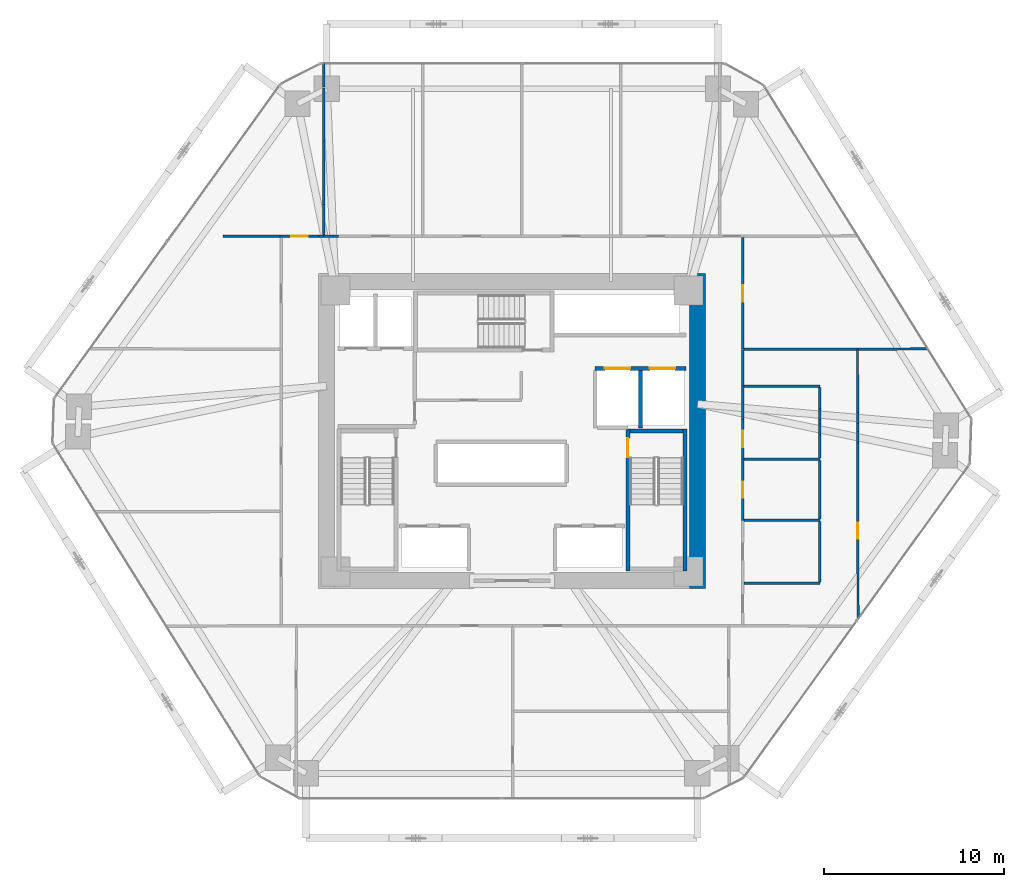
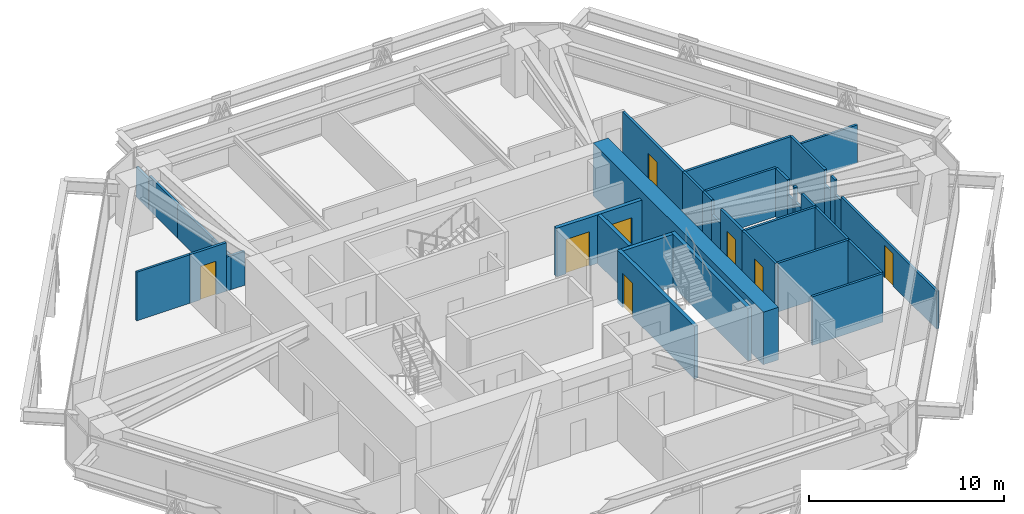
# One storey, part 15 of 17: 38 walls, 8 doors, 8 openings.
"""IFC4 building model written with IfcOpenShell, lengths in metres."""

from ifc_helpers import new_model, si_unit, direction, frame, frame_2d, origin, place, context, subcontext, project, spatial, rectangle, extrude, source, transform, mapped, material, layer, layer_set, type_object, type_shapes, element, fill, save


model = new_model("IFC4")

# Units and contexts
model_context = context("Model", 3, precision=1e-05, world=origin(), true_north=direction((0.0, 1.0)))
body_context = subcontext(model_context, "Body", "Model", "MODEL_VIEW")
ifc_project = project(units=[si_unit("LENGTHUNIT", "METRE"), si_unit("AREAUNIT", "SQUARE_METRE"), si_unit("VOLUMEUNIT", "CUBIC_METRE"), si_unit("PLANEANGLEUNIT", "RADIAN"), si_unit("MASSUNIT", "GRAM", prefix="KILO")], contexts=[model_context])

# Site, building, storey
site_placement = place(None, origin())
site = spatial("IfcSite", under=ifc_project, at=site_placement, CompositionType="ELEMENT")
building_placement = place(site_placement, origin())
building = spatial("IfcBuilding", under=site, at=building_placement, Name="Durnholm Broadcast Tower", CompositionType="ELEMENT")
storey_placement = place(building_placement, frame((0.0, 0.0, 72.0)))
storey = spatial("IfcBuildingStorey", under=building, at=storey_placement, Name="L18", CompositionType="ELEMENT", Elevation=72.0)

# Walls
ifc_material_1 = material(Name="Concrete C70/85", Category="concrete")
ifc_layer_1 = layer(ifc_material_1, 0.89990234375)
ifc_layer_set_1 = layer_set([ifc_layer_1], Name="Concrete C70/85")
wall_type_1 = type_object("IfcWallType", Name="WALL-CW-900", PredefinedType="SHEAR", material=ifc_layer_set_1)
wall_1_placement = place(storey_placement, frame((10.300048828125, -8.75, 0.0), z_axis=(0.0, 0.0, 1.0), x_axis=(0.0, 1.0, 0.0)))
element("IfcWall", 1, at=wall_1_placement, inside=storey, type_object=wall_type_1, Name="L18 central core shear wall CW-EAST", PredefinedType="SHEAR", context=body_context, shape_type="SweptSolid", body=[
    extrude(rectangle(XDim=17.5, YDim=0.89990234375, at=frame_2d((8.75, 0.0))), origin(), (0.0, 0.0, 1.0), 3.300048828125),
])
ifc_material_2 = material(Name="Gypsum Metal Stud Partition", Category="concrete")
ifc_layer_2 = layer(ifc_material_2, 0.135009765625)
ifc_layer_set_2 = layer_set([ifc_layer_2], Name="Gypsum Metal Stud Partition")
wall_type_2 = type_object("IfcWallType", Name="WALL-PART-135", PredefinedType="PARTITIONING", material=ifc_layer_set_2)
wall_2_placement = place(storey_placement, frame((-10.4599609375, 16.098388671875, 0.0), z_axis=(0.0, 0.0, 1.0), x_axis=(0.0, -1.0, 0.0)))
element("IfcWall", 2, at=wall_2_placement, inside=storey, type_object=wall_type_2, Name="L18 room dividing partition 5.6", PredefinedType="PARTITIONING", context=body_context, shape_type="SweptSolid", body=[
    extrude(rectangle(XDim=3.534912109375, YDim=0.135009765625, at=frame_2d((1.767578125, 0.0))), origin(), (0.0, 0.0, 1.0), 2.130126953125),
])
wall_3_placement = place(storey_placement, frame((-10.4599609375, 20.39990234375, 0.0), z_axis=(0.0, 0.0, 1.0), x_axis=(0.0, -1.0, 0.0)))
element("IfcWall", 3, at=wall_3_placement, inside=storey, type_object=wall_type_2, Name="L18 room dividing partition 5.6", PredefinedType="PARTITIONING", context=body_context, shape_type="SweptSolid", body=[
    extrude(rectangle(XDim=1.31591796875, YDim=0.135009765625, at=frame_2d((0.657958984375, 0.0))), origin(), (0.0, 0.0, 1.0), 1.877197265625),
])
wall_4_placement = place(storey_placement, frame((-10.4599609375, 19.052490234375, 0.0), z_axis=(0.0, 0.0, 1.0), x_axis=(0.0, -1.0, 0.0)))
element("IfcWall", 4, at=wall_4_placement, inside=storey, type_object=wall_type_2, Name="L18 room dividing partition 5.6", PredefinedType="PARTITIONING", context=body_context, shape_type="SweptSolid", body=[
    extrude(rectangle(XDim=2.9541015625, YDim=0.135009765625, at=frame_2d((1.47705078125, 0.0))), origin(), (0.0, 0.0, 1.0), 2.130126953125),
])
wall_5_placement = place(storey_placement, frame((-10.4599609375, 12.5634765625, 0.0), z_axis=(0.0, 0.0, 1.0), x_axis=(0.0, -1.0, 0.0)))
element("IfcWall", 5, at=wall_5_placement, inside=storey, type_object=wall_type_2, Name="L18 room dividing partition 5.6", PredefinedType="PARTITIONING", context=body_context, shape_type="SweptSolid", body=[
    extrude(rectangle(XDim=1.674560546875, YDim=0.135009765625, at=frame_2d((0.83740234375, 0.0))), origin(), (0.0, 0.0, 1.0), 2.130126953125),
])
wall_6_placement = place(storey_placement, frame((-12.889892578125, 10.81005859375, 0.0), z_axis=(0.0, 0.0, 1.0), x_axis=(-1.0, 0.0, 0.0)))
element("IfcWall", 6, at=wall_6_placement, inside=storey, type_object=wall_type_2, Name="L18 room dividing partition 5.18", PredefinedType="PARTITIONING", context=body_context, shape_type="SweptSolid", body=[
    extrude(rectangle(XDim=3.150146484375, YDim=0.135009765625, at=frame_2d((1.5751953125, 0.0))), origin(), (0.0, 0.0, 1.0), 3.044921875),
])
wall_7_placement = place(storey_placement, frame((19.177001953125, 4.5400390625, 0.0), z_axis=(0.0, 0.0, 1.0), x_axis=(0.002156066765, -0.999997675685, 0.0)))
element("IfcWall", 7, at=wall_7_placement, inside=storey, type_object=wall_type_2, Name="L18 room dividing partition 19.20", PredefinedType="PARTITIONING", context=body_context, shape_type="SweptSolid", body=[
    extrude(rectangle(XDim=3.51025390625, YDim=0.135009765625, at=frame_2d((1.755126953125, 0.0))), origin(), (0.0, 0.0, 1.0), 3.044921875),
])
wall_8_placement = place(storey_placement, frame((19.185791015625, 0.423583984375, 0.0), z_axis=(0.0, 0.0, 1.0), x_axis=(0.002668080151, -0.999996440668, 0.0)))
element("IfcWall", 8, at=wall_8_placement, inside=storey, type_object=wall_type_2, Name="L18 room dividing partition 19.20", PredefinedType="PARTITIONING", context=body_context, shape_type="SweptSolid", body=[
    extrude(rectangle(XDim=0.45751953125, YDim=0.135009765625, at=frame_2d((0.228759765625, 0.0))), origin(), (0.0, 0.0, 1.0), 3.044921875),
])

# Wall, opening, door
wall_9_placement = place(storey_placement, frame((19.188232421875, -0.65087890625, 0.0), z_axis=(0.0, 0.0, 1.0), x_axis=(0.002171032739, -0.999997643306, 0.0)))
wall_9 = element("IfcWall", 9, at=wall_9_placement, inside=storey, type_object=wall_type_2, Name="L18 room dividing partition 19.20", PredefinedType="PARTITIONING", context=body_context, shape_type="SweptSolid", body=[
    extrude(rectangle(XDim=9.783447265625, YDim=0.135009765625, at=frame_2d((4.8916015625, 0.0))), origin(), (0.0, 0.0, 1.0), 2.3798828125),
])
opening_1_placement = place(wall_9_placement, frame((4.441650390625, 0.0, 0.0)))
opening_1 = element("IfcOpeningElement", 10, at=opening_1_placement, cuts=wall_9, Name="Opening DW-90L", PredefinedType="OPENING", context=body_context, shape_type="SweptSolid", body=[
    extrude(rectangle(XDim=0.89990234375, YDim=2.050048828125, at=frame_2d((0.449951171875, 1.02490234375))), frame((0.0, 0.07763671875, 0.0), z_axis=(0.0, -1.0, 0.0), x_axis=(1.0, 0.0, 0.0)), (0.0, 0.0, 1.0), 0.155029296875),
])
ifc_material_3 = material(Name="Laminate Restroom Door", Category="steel")
ifc_layer_3 = layer(ifc_material_3, 0.050048828125)
ifc_layer_set_3 = layer_set([ifc_layer_3], Name="Laminate Restroom Door")
door_type_1 = type_object("IfcDoorType", Name="DOOR-WC-900L", OperationType="NOTDEFINED", PredefinedType="DOOR", material=ifc_layer_set_3)
shared_shape_1 = source(origin(), body_context, "Body", "SweptSolid", [
    extrude(rectangle(XDim=0.89990234375, YDim=2.050048828125, at=frame_2d((0.449951171875, 1.02490234375))), frame((0.0, 0.02490234375, 0.0), z_axis=(0.0, -1.0, 0.0), x_axis=(1.0, 0.0, 0.0)), (0.0, 0.0, 1.0), 0.050048828125),
])
type_shapes(door_type_1, [shared_shape_1])
door_1_placement = place(opening_1_placement, origin())
door_1 = element("IfcDoor", 11, at=door_1_placement, inside=storey, type_object=door_type_1, Name="L18 Script Office connecting door", OperationType="SINGLE_SWING_LEFT", OverallHeight=2.050048828125, OverallWidth=0.89990234375, PredefinedType="DOOR", context=body_context, shape_type="MappedRepresentation", body=[
    mapped(shared_shape_1, transform((0.0, 0.0, 0.0), x_axis=(1.0, 0.0, 0.0), y_axis=(0.0, 1.0, 0.0), z_axis=(0.0, 0.0, 1.0), scale=1.0)),
])
fill(opening_1, door_1)

# Walls
wall_10_placement = place(storey_placement, frame((19.1845703125, 1.02978515625, 0.0), z_axis=(0.0, 0.0, 1.0), x_axis=(0.00201368903, -0.999997972526, 0.0)))
element("IfcWall", 12, at=wall_10_placement, inside=storey, type_object=wall_type_2, Name="L18 room dividing partition 19.20", PredefinedType="PARTITIONING", context=body_context, shape_type="SweptSolid", body=[
    extrude(rectangle(XDim=0.606201171875, YDim=0.135009765625, at=frame_2d((0.30322265625, 0.0))), origin(), (0.0, 0.0, 1.0), 2.130126953125),
])
wall_11_placement = place(storey_placement, frame((19.18701171875, -0.033935546875, 0.0), z_axis=(0.0, 0.0, 1.0), x_axis=(0.001978626914, -0.999998042516, 0.0)))
element("IfcWall", 13, at=wall_11_placement, inside=storey, type_object=wall_type_2, Name="L18 room dividing partition 19.20", PredefinedType="PARTITIONING", context=body_context, shape_type="SweptSolid", body=[
    extrude(rectangle(XDim=0.616943359375, YDim=0.135009765625, at=frame_2d((0.30859375, 0.0))), origin(), (0.0, 0.0, 1.0), 2.130126953125),
])
wall_12_placement = place(storey_placement, frame((12.888916015625, 4.5400390625, 0.0), z_axis=(0.0, 0.0, 1.0), x_axis=(1.0, 0.0, 0.0)))
element("IfcWall", 14, at=wall_12_placement, inside=storey, type_object=wall_type_2, Name="L18 room dividing partition 19.21", PredefinedType="PARTITIONING", context=body_context, shape_type="SweptSolid", body=[
    extrude(rectangle(XDim=6.2880859375, YDim=0.135009765625, at=frame_2d((3.14404296875, 0.0))), origin(), (0.0, 0.0, 1.0), 3.044921875),
])
wall_13_placement = place(storey_placement, frame((19.177001953125, 4.540283203125, 0.0), z_axis=(0.0, 0.0, 1.0), x_axis=(0.999985911873, 0.005308112316, 0.0)))
element("IfcWall", 15, at=wall_13_placement, inside=storey, type_object=wall_type_2, Name="L18 room dividing partition 20.21", PredefinedType="PARTITIONING", context=body_context, shape_type="SweptSolid", body=[
    extrude(rectangle(XDim=3.909423828125, YDim=0.135009765625, at=frame_2d((1.95458984375, 0.0))), origin(), (0.0, 0.0, 1.0), 2.3798828125),
])

# Wall, opening, door
ifc_material_4 = material(Name="Acoustic Gypsum Stud Partition", Category="concrete")
ifc_layer_4 = layer(ifc_material_4, 0.14990234375)
ifc_layer_set_4 = layer_set([ifc_layer_4], Name="Acoustic Gypsum Stud Partition")
wall_type_3 = type_object("IfcWallType", Name="WALL-PART-150", PredefinedType="PARTITIONING", material=ifc_layer_set_4)
wall_14_placement = place(storey_placement, frame((-10.719970703125, 10.81005859375, 0.0), z_axis=(0.0, 0.0, 1.0), x_axis=(-1.0, 0.0, 0.0)))
wall_14 = element("IfcWall", 16, at=wall_14_placement, inside=storey, type_object=wall_type_3, Name="L18 Documentary Office 1 corridor partition", PredefinedType="PARTITIONING", context=body_context, shape_type="SweptSolid", body=[
    extrude(rectangle(XDim=2.169921875, YDim=0.14990234375, at=frame_2d((1.0849609375, 0.0))), origin(), (0.0, 0.0, 1.0), 3.044921875),
])
opening_2_placement = place(wall_14_placement, frame((0.625, 0.0, 0.0)))
opening_2 = element("IfcOpeningElement", 17, at=opening_2_placement, cuts=wall_14, Name="Opening DR-92R", PredefinedType="OPENING", context=body_context, shape_type="SweptSolid", body=[
    extrude(rectangle(XDim=0.919921875, YDim=2.10009765625, at=frame_2d((0.4599609375, 1.050048828125))), frame((0.0, 0.0849609375, 0.0), z_axis=(0.0, -1.0, 0.0), x_axis=(1.0, 0.0, 0.0)), (0.0, 0.0, 1.0), 0.169921875),
])
ifc_material_5 = material(Name="Oak Veneer Office Door", Category="wood")
ifc_layer_5 = layer(ifc_material_5, 0.050048828125)
ifc_layer_set_5 = layer_set([ifc_layer_5], Name="Oak Veneer Office Door")
door_type_2 = type_object("IfcDoorType", Name="DOOR-RM-920R", OperationType="NOTDEFINED", PredefinedType="DOOR", material=ifc_layer_set_5)
shared_shape_2 = source(origin(), body_context, "Body", "SweptSolid", [
    extrude(rectangle(XDim=0.919921875, YDim=2.10009765625, at=frame_2d((0.4599609375, 1.050048828125))), frame((0.0, 0.02490234375, 0.0), z_axis=(0.0, -1.0, 0.0), x_axis=(1.0, 0.0, 0.0)), (0.0, 0.0, 1.0), 0.050048828125),
])
type_shapes(door_type_2, [shared_shape_2])
door_2_placement = place(opening_2_placement, origin())
door_2 = element("IfcDoor", 18, at=door_2_placement, inside=storey, type_object=door_type_2, Name="L18 Documentary Office 1 entrance door", OperationType="SINGLE_SWING_RIGHT", OverallHeight=2.10009765625, OverallWidth=0.919921875, PredefinedType="DOOR", context=body_context, shape_type="MappedRepresentation", body=[
    mapped(shared_shape_2, transform((0.0, 0.0, 0.0), x_axis=(1.0, 0.0, 0.0), y_axis=(0.0, 1.0, 0.0), z_axis=(0.0, 0.0, 1.0), scale=1.0)),
])
fill(opening_2, door_2)

# Walls
wall_15_placement = place(storey_placement, frame((-10.4599609375, 10.81005859375, 0.0), z_axis=(0.0, 0.0, 1.0), x_axis=(-1.0, 0.0, 0.0)))
element("IfcWall", 19, at=wall_15_placement, inside=storey, type_object=wall_type_3, Name="L18 Documentary Office 1 corridor partition", PredefinedType="PARTITIONING", context=body_context, shape_type="SweptSolid", body=[
    extrude(rectangle(XDim=0.260009765625, YDim=0.14990234375, at=frame_2d((0.1298828125, 0.0))), origin(), (0.0, 0.0, 1.0), 2.130126953125),
])
wall_16_placement = place(storey_placement, frame((-9.62744140625, 10.81005859375, 0.0), z_axis=(0.0, 0.0, 1.0), x_axis=(-1.0, 0.0, 0.0)))
element("IfcWall", 20, at=wall_16_placement, inside=storey, type_object=wall_type_3, Name="L18 Documentary Office 2 corridor partition", PredefinedType="PARTITIONING", context=body_context, shape_type="SweptSolid", body=[
    extrude(rectangle(XDim=0.83251953125, YDim=0.14990234375, at=frame_2d((0.416259765625, 0.0))), origin(), (0.0, 0.0, 1.0), 2.130126953125),
])
wall_17_placement = place(storey_placement, frame((12.81005859375, 2.489990234375, 0.0), z_axis=(0.0, 0.0, 1.0), x_axis=(0.0, 1.0, 0.0)))
element("IfcWall", 21, at=wall_17_placement, inside=storey, type_object=wall_type_3, Name="L18 Media Review Meeting Room corridor partition", PredefinedType="PARTITIONING", context=body_context, shape_type="SweptSolid", body=[
    extrude(rectangle(XDim=2.050048828125, YDim=0.14990234375, at=frame_2d((1.02490234375, 0.0))), origin(), (0.0, 0.0, 1.0), 3.044921875),
])

# Wall, opening, door
wall_18_placement = place(storey_placement, frame((12.81005859375, 4.5400390625, 0.0), z_axis=(0.0, 0.0, 1.0), x_axis=(0.0, 1.0, 0.0)))
wall_18 = element("IfcWall", 22, at=wall_18_placement, inside=storey, type_object=wall_type_3, Name="L18 Archive Store corridor partition", PredefinedType="PARTITIONING", context=body_context, shape_type="SweptSolid", body=[
    extrude(rectangle(XDim=6.19091796875, YDim=0.14990234375, at=frame_2d((3.095458984375, 0.0))), origin(), (0.0, 0.0, 1.0), 3.044921875),
])
opening_3_placement = place(wall_18_placement, frame((2.6455078125, 0.0, 0.0)))
opening_3 = element("IfcOpeningElement", 23, at=opening_3_placement, cuts=wall_18, Name="Opening DC-60R", PredefinedType="OPENING", context=body_context, shape_type="SweptSolid", body=[
    extrude(rectangle(XDim=0.89990234375, YDim=2.050048828125, at=frame_2d((0.449951171875, 1.02490234375))), frame((0.0, 0.0849609375, 0.0), z_axis=(0.0, -1.0, 0.0), x_axis=(1.0, 0.0, 0.0)), (0.0, 0.0, 1.0), 0.169921875),
])
ifc_material_6 = material(Name="Fire-Rated Core Service Door", Category="steel")
ifc_layer_6 = layer(ifc_material_6, 0.050048828125)
ifc_layer_set_6 = layer_set([ifc_layer_6], Name="Fire-Rated Core Service Door")
door_type_3 = type_object("IfcDoorType", Name="DOOR-CORE-FD60-R", OperationType="NOTDEFINED", PredefinedType="DOOR", material=ifc_layer_set_6)
shared_shape_3 = source(origin(), body_context, "Body", "SweptSolid", [
    extrude(rectangle(XDim=0.89990234375, YDim=2.050048828125, at=frame_2d((0.449951171875, 1.02490234375))), frame((0.0, 0.02490234375, 0.0), z_axis=(0.0, -1.0, 0.0), x_axis=(1.0, 0.0, 0.0)), (0.0, 0.0, 1.0), 0.050048828125),
])
type_shapes(door_type_3, [shared_shape_3])
door_3_placement = place(opening_3_placement, origin())
door_3 = element("IfcDoor", 24, at=door_3_placement, inside=storey, type_object=door_type_3, Name="L18 Archive Store entrance door", OperationType="SINGLE_SWING_RIGHT", OverallHeight=2.050048828125, OverallWidth=0.89990234375, PredefinedType="DOOR", context=body_context, shape_type="MappedRepresentation", body=[
    mapped(shared_shape_3, transform((0.0, 0.0, 0.0), x_axis=(1.0, 0.0, 0.0), y_axis=(0.0, 1.0, 0.0), z_axis=(0.0, 0.0, 1.0), scale=1.0)),
])
fill(opening_3, door_3)

# Wall, openings, doors
ifc_material_7 = material(Name="Concrete Blockwork C30/37", Category="masonry")
ifc_layer_7 = layer(ifc_material_7, 0.219970703125)
ifc_layer_set_7 = layer_set([ifc_layer_7], Name="Concrete Blockwork C30/37")
wall_type_4 = type_object("IfcWallType", Name="WALL-SHAFT-220", PredefinedType="SOLIDWALL", material=ifc_layer_set_7)
wall_19_placement = place(storey_placement, frame((4.60009765625, 3.47998046875, 0.0), z_axis=(0.0, 0.0, 1.0), x_axis=(1.0, 0.0, 0.0)))
wall_19 = element("IfcWall", 25, at=wall_19_placement, inside=storey, type_object=wall_type_4, Name="L18 freight service lifts north front wall", PredefinedType="SOLIDWALL", context=body_context, shape_type="SweptSolid", body=[
    extrude(rectangle(XDim=5.0498046875, YDim=0.219970703125, at=frame_2d((2.52490234375, 0.0))), origin(), (0.0, 0.0, 1.0), 3.044921875),
])
opening_4_placement = place(wall_19_placement, frame((0.550048828125, 0.0, 0.0)))
opening_4 = element("IfcOpeningElement", 26, at=opening_4_placement, cuts=wall_19, Name="Opening LD-SVL-2", PredefinedType="OPENING", context=body_context, shape_type="SweptSolid", body=[
    extrude(rectangle(XDim=1.39990234375, YDim=2.14990234375, at=frame_2d((0.699951171875, 1.074951171875))), frame((0.0, 0.1201171875, 0.0), z_axis=(0.0, -1.0, 0.0), x_axis=(1.0, 0.0, 0.0)), (0.0, 0.0, 1.0), 0.239990234375),
])
opening_5_placement = place(wall_19_placement, frame((3.050048828125, 0.0, 0.0)))
opening_5 = element("IfcOpeningElement", 27, at=opening_5_placement, cuts=wall_19, Name="Opening LD-SVL-1", PredefinedType="OPENING", context=body_context, shape_type="SweptSolid", body=[
    extrude(rectangle(XDim=1.39990234375, YDim=2.14990234375, at=frame_2d((0.699951171875, 1.074951171875))), frame((0.0, 0.1201171875, 0.0), z_axis=(0.0, -1.0, 0.0), x_axis=(1.0, 0.0, 0.0)), (0.0, 0.0, 1.0), 0.239990234375),
])
ifc_material_8 = material(Name="Freight Elevator Bi-Parting Sliding Landing Door", Category="steel")
ifc_layer_8 = layer(ifc_material_8, 0.050048828125)
ifc_layer_set_8 = layer_set([ifc_layer_8], Name="Freight Elevator Bi-Parting Sliding Landing Door")
door_type_4 = type_object("IfcDoorType", Name="DOOR-LIFT-SVL", OperationType="DOUBLE_DOOR_SLIDING", PredefinedType="DOOR", material=ifc_layer_set_8)
shared_shape_4 = source(origin(), body_context, "Body", "SweptSolid", [
    extrude(rectangle(XDim=1.39990234375, YDim=2.14990234375, at=frame_2d((0.699951171875, 1.074951171875))), frame((0.0, 0.02490234375, 0.0), z_axis=(0.0, -1.0, 0.0), x_axis=(1.0, 0.0, 0.0)), (0.0, 0.0, 1.0), 0.050048828125),
])
type_shapes(door_type_4, [shared_shape_4])
door_4_placement = place(opening_4_placement, origin())
door_4 = element("IfcDoor", 28, at=door_4_placement, inside=storey, type_object=door_type_4, Name="L18 freight service elevator SVL-2 sliding landing door", OperationType="DOUBLE_DOOR_SLIDING", OverallHeight=2.14990234375, OverallWidth=1.39990234375, PredefinedType="DOOR", context=body_context, shape_type="MappedRepresentation", body=[
    mapped(shared_shape_4, transform((0.0, 0.0, 0.0), x_axis=(1.0, 0.0, 0.0), y_axis=(0.0, 1.0, 0.0), z_axis=(0.0, 0.0, 1.0), scale=1.0)),
])
fill(opening_4, door_4)
door_5_placement = place(opening_5_placement, origin())
door_5 = element("IfcDoor", 29, at=door_5_placement, inside=storey, type_object=door_type_4, Name="L18 freight service elevator SVL-1 sliding landing door", OperationType="DOUBLE_DOOR_SLIDING", OverallHeight=2.14990234375, OverallWidth=1.39990234375, PredefinedType="DOOR", context=body_context, shape_type="MappedRepresentation", body=[
    mapped(shared_shape_4, transform((0.0, 0.0, 0.0), x_axis=(1.0, 0.0, 0.0), y_axis=(0.0, 1.0, 0.0), z_axis=(0.0, 0.0, 1.0), scale=1.0)),
])
fill(opening_5, door_5)

# Walls
wall_20_placement = place(storey_placement, frame((7.1201171875, 0.179931640625, 0.0), z_axis=(0.0, 0.0, 1.0), x_axis=(0.0, 1.0, 0.0)))
element("IfcWall", 30, at=wall_20_placement, inside=storey, type_object=wall_type_4, Name="L18 freight service lifts divider wall", PredefinedType="SOLIDWALL", context=body_context, shape_type="SweptSolid", body=[
    extrude(rectangle(XDim=3.18603515625, YDim=0.219970703125, at=frame_2d((1.593017578125, 0.0))), origin(), (0.0, 0.0, 1.0), 3.044921875),
])
ifc_material_9 = material(Name="Concrete C50/60", Category="concrete")
ifc_layer_9 = layer(ifc_material_9, 0.219970703125)
ifc_layer_set_9 = layer_set([ifc_layer_9], Name="Concrete C50/60")
wall_type_5 = type_object("IfcWallType", Name="WALL-SW-220", PredefinedType="SHEAR", material=ifc_layer_set_9)
wall_21_placement = place(storey_placement, frame((9.610107421875, -7.77001953125, -0.239990234375), z_axis=(0.0, 0.0, 1.0), x_axis=(0.0, 1.0, 0.0)))
element("IfcWall", 31, at=wall_21_placement, inside=storey, type_object=wall_type_5, Name="L18 stair ST-2 structural shaft wall E", PredefinedType="SHEAR", context=body_context, shape_type="SweptSolid", body=[
    extrude(rectangle(XDim=7.89013671875, YDim=0.219970703125, at=frame_2d((3.945068359375, 0.0))), origin(), (0.0, 0.0, 1.0), 3.300048828125),
])

# Wall, opening, door
wall_22_placement = place(storey_placement, frame((6.429931640625, 0.1201171875, -0.239990234375), z_axis=(0.0, 0.0, 1.0), x_axis=(0.0, -1.0, 0.0)))
wall_22 = element("IfcWall", 32, at=wall_22_placement, inside=storey, type_object=wall_type_5, Name="L18 stair ST-2 structural shaft wall W", PredefinedType="SHEAR", context=body_context, shape_type="SweptSolid", body=[
    extrude(rectangle(XDim=7.89013671875, YDim=0.219970703125, at=frame_2d((3.945068359375, 0.0))), origin(), (0.0, 0.0, 1.0), 3.300048828125),
])
opening_6_placement = place(wall_22_placement, frame((0.52001953125, 0.0, 0.0)))
opening_6 = element("IfcOpeningElement", 33, at=opening_6_placement, cuts=wall_22, Name="Opening DS-90R", PredefinedType="OPENING", context=body_context, shape_type="SweptSolid", body=[
    extrude(rectangle(XDim=1.050048828125, YDim=2.14990234375, at=frame_2d((0.52490234375, 1.074951171875))), frame((0.0, 0.1201171875, 0.0), z_axis=(0.0, -1.0, 0.0), x_axis=(1.0, 0.0, 0.0)), (0.0, 0.0, 1.0), 0.239990234375),
])
ifc_material_10 = material(Name="Fire-Rated Steel Door", Category="steel")
ifc_layer_10 = layer(ifc_material_10, 0.050048828125)
ifc_layer_set_10 = layer_set([ifc_layer_10], Name="Fire-Rated Steel Door")
door_type_5 = type_object("IfcDoorType", Name="DOOR-ST-FD90-R", OperationType="NOTDEFINED", PredefinedType="DOOR", material=ifc_layer_set_10)
shared_shape_5 = source(origin(), body_context, "Body", "SweptSolid", [
    extrude(rectangle(XDim=1.050048828125, YDim=2.14990234375, at=frame_2d((0.52490234375, 1.074951171875))), frame((0.0, 0.02490234375, 0.0), z_axis=(0.0, -1.0, 0.0), x_axis=(1.0, 0.0, 0.0)), (0.0, 0.0, 1.0), 0.050048828125),
])
type_shapes(door_type_5, [shared_shape_5])
door_6_placement = place(opening_6_placement, origin())
door_6 = element("IfcDoor", 34, at=door_6_placement, inside=storey, type_object=door_type_5, Name="L18 exit stair ST-2 fire door", OperationType="SINGLE_SWING_RIGHT", OverallHeight=2.14990234375, OverallWidth=1.050048828125, PredefinedType="DOOR", context=body_context, shape_type="MappedRepresentation", body=[
    mapped(shared_shape_5, transform((0.0, 0.0, 0.0), x_axis=(1.0, 0.0, 0.0), y_axis=(0.0, 1.0, 0.0), z_axis=(0.0, 0.0, 1.0), scale=1.0)),
])
fill(opening_6, door_6)

# Wall
wall_23_placement = place(storey_placement, frame((9.5, 0.010009765625, -0.239990234375), z_axis=(0.0, 0.0, 1.0), x_axis=(-1.0, 0.0, 0.0)))
element("IfcWall", 35, at=wall_23_placement, inside=storey, type_object=wall_type_5, Name="L18 stair ST-2 structural shaft wall N", PredefinedType="SHEAR", context=body_context, shape_type="SweptSolid", body=[
    extrude(rectangle(XDim=2.9599609375, YDim=0.219970703125, at=frame_2d((1.47998046875, 0.0))), origin(), (0.0, 0.0, 1.0), 3.300048828125),
])

# Wall, opening, door
ifc_material_11 = material(Name="Moisture-Resistant Tile Partition", Category="concrete")
ifc_layer_11 = layer(ifc_material_11, 0.139892578125)
ifc_layer_set_11 = layer_set([ifc_layer_11], Name="Moisture-Resistant Tile Partition")
wall_type_6 = type_object("IfcWallType", Name="WALL-WC-140", PredefinedType="PARTITIONING", material=ifc_layer_set_11)
wall_24_placement = place(storey_placement, frame((12.81005859375, -4.9599609375, 0.0), z_axis=(0.0, 0.0, 1.0), x_axis=(0.0, 1.0, 0.0)))
wall_24 = element("IfcWall", 36, at=wall_24_placement, inside=storey, type_object=wall_type_6, Name="L18 Women's Restroom corridor partition", PredefinedType="PARTITIONING", context=body_context, shape_type="SweptSolid", body=[
    extrude(rectangle(XDim=3.39990234375, YDim=0.139892578125, at=frame_2d((1.699951171875, 0.0))), origin(), (0.0, 0.0, 1.0), 3.044921875),
])
opening_7_placement = place(wall_24_placement, frame((1.25, 0.0, 0.0)))
opening_7 = element("IfcOpeningElement", 37, at=opening_7_placement, cuts=wall_24, Name="Opening DW-90R", PredefinedType="OPENING", context=body_context, shape_type="SweptSolid", body=[
    extrude(rectangle(XDim=0.89990234375, YDim=2.050048828125, at=frame_2d((0.449951171875, 1.02490234375))), frame((0.0, 0.080078125, 0.0), z_axis=(0.0, -1.0, 0.0), x_axis=(1.0, 0.0, 0.0)), (0.0, 0.0, 1.0), 0.159912109375),
])
ifc_layer_12 = layer(ifc_material_3, 0.050048828125)
ifc_layer_set_12 = layer_set([ifc_layer_12], Name="Laminate Restroom Door")
door_type_6 = type_object("IfcDoorType", Name="DOOR-WC-900R", OperationType="NOTDEFINED", PredefinedType="DOOR", material=ifc_layer_set_12)
shared_shape_6 = source(origin(), body_context, "Body", "SweptSolid", [
    extrude(rectangle(XDim=0.89990234375, YDim=2.050048828125, at=frame_2d((0.449951171875, 1.02490234375))), frame((0.0, 0.02490234375, 0.0), z_axis=(0.0, -1.0, 0.0), x_axis=(1.0, 0.0, 0.0)), (0.0, 0.0, 1.0), 0.050048828125),
])
type_shapes(door_type_6, [shared_shape_6])
door_7_placement = place(opening_7_placement, origin())
door_7 = element("IfcDoor", 38, at=door_7_placement, inside=storey, type_object=door_type_6, Name="L18 Women's Restroom entrance door", OperationType="SINGLE_SWING_RIGHT", OverallHeight=2.050048828125, OverallWidth=0.89990234375, PredefinedType="DOOR", context=body_context, shape_type="MappedRepresentation", body=[
    mapped(shared_shape_6, transform((0.0, 0.0, 0.0), x_axis=(1.0, 0.0, 0.0), y_axis=(0.0, 1.0, 0.0), z_axis=(0.0, 0.0, 1.0), scale=1.0)),
])
fill(opening_7, door_7)

wall_25_placement = place(storey_placement, frame((12.81005859375, -1.56005859375, 0.0), z_axis=(0.0, 0.0, 1.0), x_axis=(0.0, 1.0, 0.0)))
wall_25 = element("IfcWall", 39, at=wall_25_placement, inside=storey, type_object=wall_type_6, Name="L18 Accessible Restroom corridor partition", PredefinedType="PARTITIONING", context=body_context, shape_type="SweptSolid", body=[
    extrude(rectangle(XDim=2.231201171875, YDim=0.139892578125, at=frame_2d((1.11572265625, 0.0))), origin(), (0.0, 0.0, 1.0), 3.044921875),
])
opening_8_placement = place(wall_25_placement, frame((0.66552734375, 0.0, 0.0)))
opening_8 = element("IfcOpeningElement", 40, at=opening_8_placement, cuts=wall_25, Name="Opening DW-90L", PredefinedType="OPENING", context=body_context, shape_type="SweptSolid", body=[
    extrude(rectangle(XDim=0.89990234375, YDim=2.050048828125, at=frame_2d((0.449951171875, 1.02490234375))), frame((0.0, 0.080078125, 0.0), z_axis=(0.0, -1.0, 0.0), x_axis=(1.0, 0.0, 0.0)), (0.0, 0.0, 1.0), 0.159912109375),
])
door_8_placement = place(opening_8_placement, origin())
door_8 = element("IfcDoor", 41, at=door_8_placement, inside=storey, type_object=door_type_1, Name="L18 Accessible Restroom entrance door", OperationType="SINGLE_SWING_LEFT", OverallHeight=2.050048828125, OverallWidth=0.89990234375, PredefinedType="DOOR", context=body_context, shape_type="MappedRepresentation", body=[
    mapped(shared_shape_1, transform((0.0, 0.0, 0.0), x_axis=(1.0, 0.0, 0.0), y_axis=(0.0, 1.0, 0.0), z_axis=(0.0, 0.0, 1.0), scale=1.0)),
])
fill(opening_8, door_8)

# Walls
wall_26_placement = place(storey_placement, frame((12.81005859375, 1.584716796875, 0.0), z_axis=(0.0, 0.0, 1.0), x_axis=(0.0, 1.0, 0.0)))
element("IfcWall", 42, at=wall_26_placement, inside=storey, type_object=wall_type_6, Name="L18 Accessible Restroom corridor partition", PredefinedType="PARTITIONING", context=body_context, shape_type="SweptSolid", body=[
    extrude(rectangle(XDim=0.9052734375, YDim=0.139892578125, at=frame_2d((0.45263671875, 0.0))), origin(), (0.0, 0.0, 1.0), 3.044921875),
])
wall_27_placement = place(storey_placement, frame((12.81005859375, 0.671142578125, 0.0), z_axis=(0.0, 0.0, 1.0), x_axis=(0.0, 1.0, 0.0)))
element("IfcWall", 43, at=wall_27_placement, inside=storey, type_object=wall_type_6, Name="L18 Accessible Restroom corridor partition", PredefinedType="PARTITIONING", context=body_context, shape_type="SweptSolid", body=[
    extrude(rectangle(XDim=0.91357421875, YDim=0.139892578125, at=frame_2d((0.456787109375, 0.0))), origin(), (0.0, 0.0, 1.0), 2.130126953125),
])
wall_28_placement = place(storey_placement, frame((12.884033203125, -4.9599609375, 0.0), z_axis=(0.0, 0.0, 1.0), x_axis=(1.0, 0.0, 0.0)))
element("IfcWall", 44, at=wall_28_placement, inside=storey, type_object=wall_type_6, Name="L18 room dividing partition 2.3", PredefinedType="PARTITIONING", context=body_context, shape_type="SweptSolid", body=[
    extrude(rectangle(XDim=4.2060546875, YDim=0.139892578125, at=frame_2d((2.10302734375, 0.0))), origin(), (0.0, 0.0, 1.0), 3.044921875),
])
wall_29_placement = place(storey_placement, frame((17.090087890625, -8.43994140625, 0.0), z_axis=(0.0, 0.0, 1.0), x_axis=(-1.0, 0.0, 0.0)))
element("IfcWall", 45, at=wall_29_placement, inside=storey, type_object=wall_type_6, Name="L18 room dividing partition 2.19", PredefinedType="PARTITIONING", context=body_context, shape_type="SweptSolid", body=[
    extrude(rectangle(XDim=4.201171875, YDim=0.139892578125, at=frame_2d((2.1005859375, 0.0))), origin(), (0.0, 0.0, 1.0), 3.044921875),
])
wall_30_placement = place(storey_placement, frame((17.090087890625, -5.033935546875, 0.0), z_axis=(0.0, 0.0, 1.0), x_axis=(0.0, -1.0, 0.0)))
element("IfcWall", 46, at=wall_30_placement, inside=storey, type_object=wall_type_6, Name="L18 room dividing partition 2.19", PredefinedType="PARTITIONING", context=body_context, shape_type="SweptSolid", body=[
    extrude(rectangle(XDim=3.33203125, YDim=0.139892578125, at=frame_2d((1.666015625, 0.0))), origin(), (0.0, 0.0, 1.0), 3.044921875),
])
wall_31_placement = place(storey_placement, frame((12.884033203125, -1.56005859375, 0.0), z_axis=(0.0, 0.0, 1.0), x_axis=(1.0, 0.0, 0.0)))
element("IfcWall", 47, at=wall_31_placement, inside=storey, type_object=wall_type_6, Name="L18 room dividing partition 3.4", PredefinedType="PARTITIONING", context=body_context, shape_type="SweptSolid", body=[
    extrude(rectangle(XDim=4.2060546875, YDim=0.139892578125, at=frame_2d((2.10302734375, 0.0))), origin(), (0.0, 0.0, 1.0), 3.044921875),
])
wall_32_placement = place(storey_placement, frame((17.090087890625, -1.634033203125, 0.0), z_axis=(0.0, 0.0, 1.0), x_axis=(0.0, -1.0, 0.0)))
element("IfcWall", 48, at=wall_32_placement, inside=storey, type_object=wall_type_6, Name="L18 room dividing partition 3.19", PredefinedType="PARTITIONING", context=body_context, shape_type="SweptSolid", body=[
    extrude(rectangle(XDim=3.251953125, YDim=0.139892578125, at=frame_2d((1.6259765625, 0.0))), origin(), (0.0, 0.0, 1.0), 3.044921875),
])
wall_33_placement = place(storey_placement, frame((12.888916015625, 2.489990234375, 0.0), z_axis=(0.0, 0.0, 1.0), x_axis=(1.0, 0.0, 0.0)))
element("IfcWall", 49, at=wall_33_placement, inside=storey, type_object=wall_type_6, Name="L18 room dividing partition 4.19", PredefinedType="PARTITIONING", context=body_context, shape_type="SweptSolid", body=[
    extrude(rectangle(XDim=4.201171875, YDim=0.139892578125, at=frame_2d((2.1005859375, 0.0))), origin(), (0.0, 0.0, 1.0), 3.044921875),
])
wall_34_placement = place(storey_placement, frame((17.090087890625, 2.416015625, 0.0), z_axis=(0.0, 0.0, 1.0), x_axis=(0.0, -1.0, 0.0)))
element("IfcWall", 50, at=wall_34_placement, inside=storey, type_object=wall_type_6, Name="L18 room dividing partition 4.19", PredefinedType="PARTITIONING", context=body_context, shape_type="SweptSolid", body=[
    extrude(rectangle(XDim=1.203857421875, YDim=0.139892578125, at=frame_2d((0.60205078125, 0.0))), origin(), (0.0, 0.0, 1.0), 3.044921875),
])
wall_35_placement = place(storey_placement, frame((17.090087890625, 0.60595703125, 0.0), z_axis=(0.0, 0.0, 1.0), x_axis=(0.0, -1.0, 0.0)))
element("IfcWall", 51, at=wall_35_placement, inside=storey, type_object=wall_type_6, Name="L18 room dividing partition 4.19", PredefinedType="PARTITIONING", context=body_context, shape_type="SweptSolid", body=[
    extrude(rectangle(XDim=0.205078125, YDim=0.139892578125, at=frame_2d((0.1025390625, 0.0))), origin(), (0.0, 0.0, 1.0), 3.044921875),
])
wall_36_placement = place(storey_placement, frame((17.090087890625, -0.216064453125, 0.0), z_axis=(0.0, 0.0, 1.0), x_axis=(0.0, -1.0, 0.0)))
element("IfcWall", 52, at=wall_36_placement, inside=storey, type_object=wall_type_6, Name="L18 room dividing partition 4.19", PredefinedType="PARTITIONING", context=body_context, shape_type="SweptSolid", body=[
    extrude(rectangle(XDim=1.27001953125, YDim=0.139892578125, at=frame_2d((0.635009765625, 0.0))), origin(), (0.0, 0.0, 1.0), 3.044921875),
])
wall_37_placement = place(storey_placement, frame((17.090087890625, 1.212158203125, 0.0), z_axis=(0.0, 0.0, 1.0), x_axis=(0.0, -1.0, 0.0)))
element("IfcWall", 53, at=wall_37_placement, inside=storey, type_object=wall_type_6, Name="L18 room dividing partition 4.19", PredefinedType="PARTITIONING", context=body_context, shape_type="SweptSolid", body=[
    extrude(rectangle(XDim=0.606201171875, YDim=0.139892578125, at=frame_2d((0.30322265625, 0.0))), origin(), (0.0, 0.0, 1.0), 2.130126953125),
])
wall_38_placement = place(storey_placement, frame((17.090087890625, 0.40087890625, 0.0), z_axis=(0.0, 0.0, 1.0), x_axis=(0.0, -1.0, 0.0)))
element("IfcWall", 54, at=wall_38_placement, inside=storey, type_object=wall_type_6, Name="L18 room dividing partition 4.19", PredefinedType="PARTITIONING", context=body_context, shape_type="SweptSolid", body=[
    extrude(rectangle(XDim=0.616943359375, YDim=0.139892578125, at=frame_2d((0.30859375, 0.0))), origin(), (0.0, 0.0, 1.0), 2.130126953125),
])

save(model, "model.ifc")
